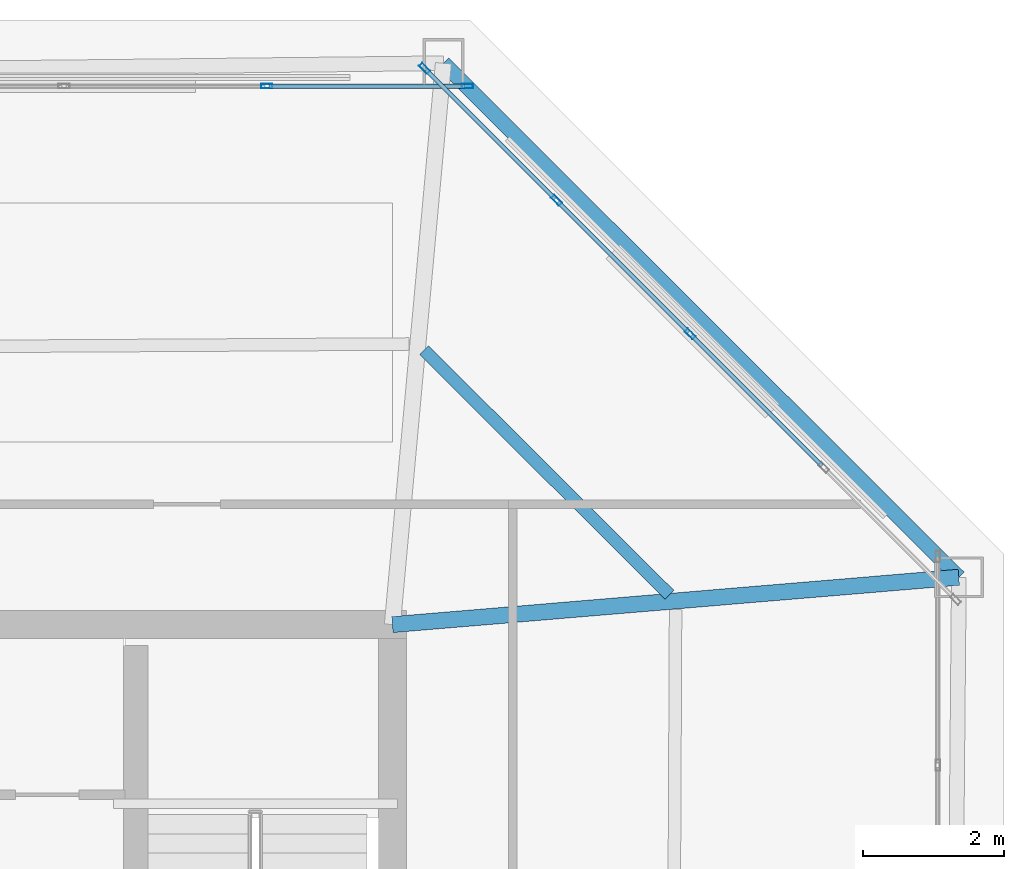
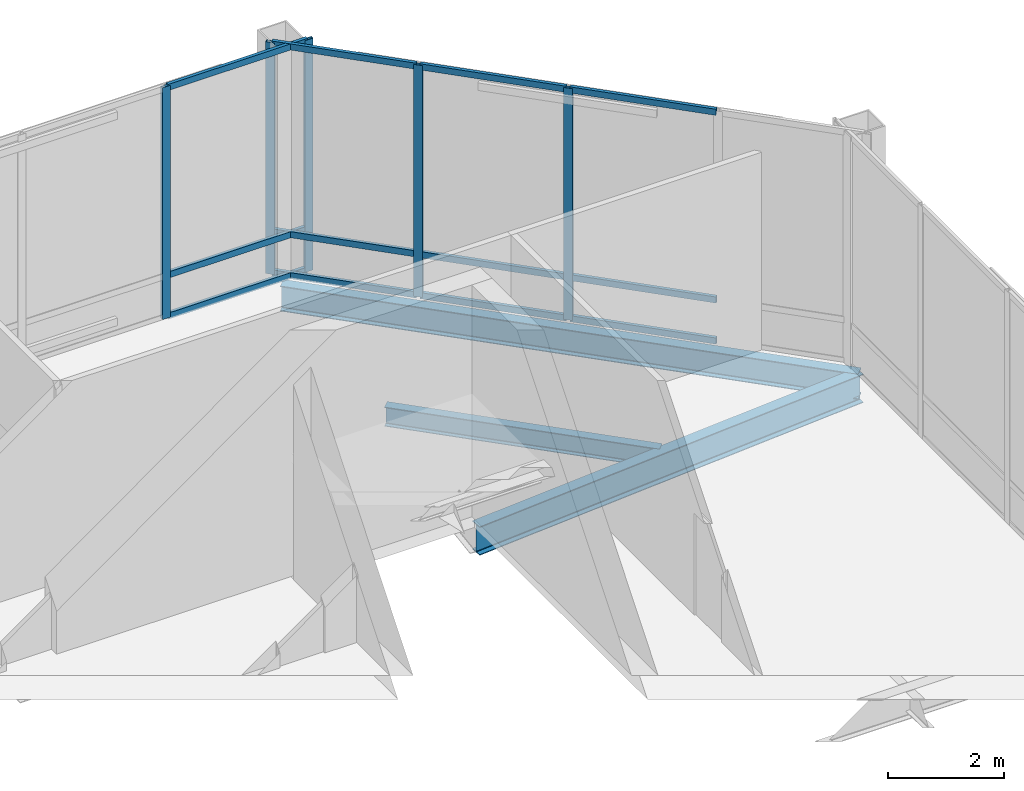
# One storey, part 14 of 21: 17 members, 3 beams, 2 elements without a shape of their own.
"""IFC4 building model written with IfcOpenShell, lengths in metres."""

import ifcopenshell
import ifcopenshell.guid

model = None  # the IFC model being written
_history = None  # IfcOwnerHistory: only IFC2X3 demands one
_inside = {}  # id of a spatial element -> (the spatial element, [elements in it])
_under = {}  # id of a project, library or spatial element -> (it, [spatial elements below it])
_declared = {}  # id of a project -> (the project, [libraries it declares])
_typed = {}  # id of a type object -> (the type object, [elements of that type])
_made_of = {}  # id of a material, layer set ... -> (it, [elements and type objects made of it])


def new_model(schema):
    """Start an empty IFC model of exactly this schema.

    Asked for "IFC4X3", IfcOpenShell would pick the latest addendum, in which some entities
    have other attributes; the version numbers below select the first issue.
    IFC2X3 requires an IfcOwnerHistory on every rooted entity: one is made here for all.
    """
    global model, _history
    if schema == "IFC4X3":
        model = ifcopenshell.file(schema_version=(4, 3, 0, 0))
    else:
        model = ifcopenshell.file(schema=schema)
    _inside.clear()
    _under.clear()
    _declared.clear()
    _typed.clear()
    _made_of.clear()
    _history = None
    if model.schema == "IFC2X3":
        org = make("IfcOrganization", Name="unknown")
        user = make(
            "IfcPersonAndOrganization",
            ThePerson=make("IfcPerson", FamilyName="unknown"),
            TheOrganization=org,
        )
        app = make(
            "IfcApplication",
            ApplicationDeveloper=org,
            Version="unknown",
            ApplicationFullName="unknown",
            ApplicationIdentifier="unknown",
        )
        _history = make(
            "IfcOwnerHistory",
            OwningUser=user,
            OwningApplication=app,
            ChangeAction="ADDED",
            CreationDate=0,
        )
    return model


def make(cls, **values):
    """One entity of the class cls with the attributes given. An attribute that is None is left unset."""
    return model.create_entity(
        cls, **{name: value for name, value in values.items() if value is not None}
    )


def rooted(cls, **values):
    """An entity with a GlobalId (a new one), such as an element, a storey or a relation."""
    return make(cls, GlobalId=ifcopenshell.guid.new(), OwnerHistory=_history, **values)


def si_unit(unit_type, name, prefix=None):
    """IfcSIUnit, for example si_unit("LENGTHUNIT", "METRE", prefix="MILLI")."""
    return make("IfcSIUnit", UnitType=unit_type, Prefix=prefix, Name=name)


def assignment(units):
    """IfcUnitAssignment: the units of a project."""
    return None if units is None else make("IfcUnitAssignment", Units=units)


def point(xyz):
    """IfcCartesianPoint."""
    return None if xyz is None else make("IfcCartesianPoint", Coordinates=xyz)


def direction(xyz):
    """IfcDirection."""
    return None if xyz is None else make("IfcDirection", DirectionRatios=xyz)


def frame(location, z_axis=None, x_axis=None):
    """IfcAxis2Placement3D, a coordinate frame: its origin and axes. An axis left out is left unset."""
    return make(
        "IfcAxis2Placement3D",
        Location=point(location),
        Axis=direction(z_axis),
        RefDirection=direction(x_axis),
    )


def frame_2d(location, x_axis=None):
    """IfcAxis2Placement2D, a coordinate frame in the plane: its origin and x axis."""
    return make(
        "IfcAxis2Placement2D", Location=point(location), RefDirection=direction(x_axis)
    )


def origin():
    """The frame at (0, 0, 0) with its axes left unset."""
    return frame((0.0, 0.0, 0.0))


def origin_2d():
    """The frame at (0, 0) in the plane with its x axis left unset."""
    return frame_2d((0.0, 0.0))


def place(relative_to, where):
    """IfcLocalPlacement: puts the frame where relative to a parent placement (None: the world)."""
    return make(
        "IfcLocalPlacement", PlacementRelTo=relative_to, RelativePlacement=where
    )


def context(
    kind, dimensions, precision=None, world=None, true_north=None, identifier=None
):
    """IfcGeometricRepresentationContext, for example the 3D "Model" context."""
    return make(
        "IfcGeometricRepresentationContext",
        ContextIdentifier=identifier,
        ContextType=kind,
        CoordinateSpaceDimension=dimensions,
        Precision=precision,
        WorldCoordinateSystem=world,
        TrueNorth=true_north,
    )


def subcontext(parent, identifier, kind, view, scale=None):
    """IfcGeometricRepresentationSubContext, for example "Body" below "Model"."""
    return make(
        "IfcGeometricRepresentationSubContext",
        ContextIdentifier=identifier,
        ContextType=kind,
        ParentContext=parent,
        TargetScale=scale,
        TargetView=view,
    )


def project(units=None, contexts=None):
    """IfcProject with its units and contexts."""
    return rooted(
        "IfcProject",
        Name="project",
        RepresentationContexts=contexts,
        UnitsInContext=assignment(units),
    )


def spatial(cls, under=None, at=None, **own):
    """A site, building, storey or space (cls), placed at a placement, below another one or the project."""
    s = rooted(cls, ObjectPlacement=at, **own)
    if under is not None:
        _under.setdefault(under.id(), (under, []))[1].append(s)
    return s


def profile(cls, at=None, kind="AREA", **sizes):
    """A parametric profile (cls). Its sizes go by their IFC names, for example OverallWidth=200.0."""
    return make(cls, ProfileType=kind, Position=at, **sizes)


def hollow_rectangle(**sizes):
    """IfcRectangleHollowProfileDef."""
    return profile("IfcRectangleHollowProfileDef", **sizes)


def i_section(**sizes):
    """IfcIShapeProfileDef."""
    return profile("IfcIShapeProfileDef", **sizes)


def extrude(swept, where, along, depth):
    """IfcExtrudedAreaSolid: the profile swept, set in the frame where, extruded along a direction by depth."""
    return make(
        "IfcExtrudedAreaSolid",
        SweptArea=swept,
        Position=where,
        ExtrudedDirection=direction(along),
        Depth=depth,
    )


def shape(context_of_items, identifier, shape_type, items):
    """IfcShapeRepresentation: the items that make up one representation, for example the "Body"."""
    return make(
        "IfcShapeRepresentation",
        ContextOfItems=context_of_items,
        RepresentationIdentifier=identifier,
        RepresentationType=shape_type,
        Items=items,
    )


def material(Name=None, Category=None):
    """IfcMaterial."""
    return make("IfcMaterial", Name=Name, Category=Category)


def layer(
    of_material, thickness, ventilated=None, Name=None, Category=None, Priority=None
):
    """IfcMaterialLayer: one layer of a wall or slab, of a material (None: an air gap)."""
    return make(
        "IfcMaterialLayer",
        Material=of_material,
        LayerThickness=thickness,
        IsVentilated=ventilated,
        Name=Name,
        Category=Category,
        Priority=Priority,
    )


def layer_set(layers, Name=None):
    """IfcMaterialLayerSet."""
    return make("IfcMaterialLayerSet", MaterialLayers=layers, LayerSetName=Name)


def material_profile(
    of_material, cross_section, Name=None, Category=None, Priority=None
):
    """IfcMaterialProfile: a cross section and its material."""
    return make(
        "IfcMaterialProfile",
        Name=Name,
        Material=of_material,
        Profile=cross_section,
        Priority=Priority,
        Category=Category,
    )


def profile_set(profiles, Name=None, composite=None):
    """IfcMaterialProfileSet."""
    return make(
        "IfcMaterialProfileSet",
        Name=Name,
        MaterialProfiles=profiles,
        CompositeProfile=composite,
    )


def made_of(thing, what):
    """Note that an element or type object is made of a material, layer set ...; save() writes the relation."""
    if what is not None:
        _made_of.setdefault(what.id(), (what, []))[1].append(thing)
    return thing


def type_object(cls, material=None, **own):
    """A type object (cls), such as IfcWallType, which elements share."""
    return made_of(rooted(cls, **own), material)


def element(
    cls,
    number,
    at=None,
    inside=None,
    cuts=None,
    type_object=None,
    material=None,
    context=None,
    identifier="Body",
    shape_type=None,
    held_by="IfcProductDefinitionShape",
    body=None,
    shapes=None,
    **own,
):
    """One element of the class cls, such as IfcWall. Its Tag is "e" and its number.

    at: its placement. inside: the storey or other place that contains it. cuts: it is an
    opening in that element (IfcRelVoidsElement). A single representation is given by context,
    identifier, shape_type and body (its items); several are given by shapes. held_by: the class
    of the entity that holds the representations. save() writes the other relations.
    """
    e = rooted(cls, Tag="e%d" % number, ObjectPlacement=at, **own)
    if body is not None:
        shapes = [shape(context, identifier, shape_type, body)]
    if shapes is not None:
        e.Representation = make(held_by, Representations=shapes)
    if inside is not None:
        _inside.setdefault(inside.id(), (inside, []))[1].append(e)
    if cuts is not None:
        rooted(
            "IfcRelVoidsElement", RelatingBuildingElement=cuts, RelatedOpeningElement=e
        )
    if type_object is not None:
        _typed.setdefault(type_object.id(), (type_object, []))[1].append(e)
    return made_of(e, material)


def aggregate(whole, parts):
    """IfcRelAggregates: a whole, such as a stair, and the parts it consists of."""
    return rooted("IfcRelAggregates", RelatingObject=whole, RelatedObjects=parts)


def save(model, path):
    """Write the relations noted so far, then the file.

    IfcRelAggregates (storeys below a building ...), IfcRelContainedInSpatialStructure (elements
    in a storey), IfcRelDefinesByType, IfcRelAssociatesMaterial and IfcRelDeclares: one each for
    every whole, place, type object, material and project.
    """
    for whole, parts in _under.values():
        aggregate(whole, parts)
    for where, things in _inside.values():
        rooted(
            "IfcRelContainedInSpatialStructure",
            RelatedElements=things,
            RelatingStructure=where,
        )
    for kind, things in _typed.values():
        rooted("IfcRelDefinesByType", RelatedObjects=things, RelatingType=kind)
    for what, things in _made_of.values():
        rooted("IfcRelAssociatesMaterial", RelatedObjects=things, RelatingMaterial=what)
    for by, libraries in _declared.values():
        rooted("IfcRelDeclares", RelatingContext=by, RelatedDefinitions=libraries)
    model.write(path)


model = new_model("IFC4")

# Units and contexts
model_context = context("Model", 3, precision=1e-05, world=origin(), true_north=direction((0.0, 1.0)))
body_context = subcontext(model_context, "Body", "Model", "MODEL_VIEW")
ifc_project = project(units=[si_unit("LENGTHUNIT", "METRE"), si_unit("AREAUNIT", "SQUARE_METRE"), si_unit("VOLUMEUNIT", "CUBIC_METRE"), si_unit("PLANEANGLEUNIT", "RADIAN"), si_unit("MASSUNIT", "GRAM", prefix="KILO")], contexts=[model_context])

# Site, building, storey
site_placement = place(None, origin())
site = spatial("IfcSite", under=ifc_project, at=site_placement, CompositionType="ELEMENT")
building_placement = place(site_placement, origin())
building = spatial("IfcBuilding", under=site, at=building_placement, Name="Caelvoria Tower", CompositionType="ELEMENT")
storey_placement = place(building_placement, frame((0.0, 0.0, 279.0)))
storey = spatial("IfcBuildingStorey", under=building, at=storey_placement, Name="L74", CompositionType="ELEMENT", Elevation=279.0)

# Curtain wall, members
ifc_material_1 = material(Name="Anodised Bronze Aluminium and Low-E Glass", Category="aluminium")
ifc_layer = layer(ifc_material_1, 0.205078125, Name="Anodised Bronze Aluminium and Low-E Glass")
ifc_layer_set = layer_set([ifc_layer], Name="CW System 5 Observation Panorama Low-Iron Facade - Anodised Bronze Aluminium and Low-E Glass")
curtain_wall_type = type_object("IfcCurtainWallType", Name="CW System 5 Observation Panorama Low-Iron Facade", PredefinedType="NOTDEFINED", material=ifc_layer_set)
curtain_wall_1_placement = place(storey_placement, origin())
curtain_wall_1 = element("IfcCurtainWall", 1, at=curtain_wall_1_placement, inside=storey, type_object=curtain_wall_type, Name="CW-05 Curtain Wall L74-E3", PredefinedType="NOTDEFINED")
ifc_material_2 = material(Name="Anodised Bronze Architectural Aluminium", Category="aluminium")
ifc_material_profile_1 = material_profile(ifc_material_2, hollow_rectangle(XDim=0.06494140625, YDim=0.159912109375, WallThickness=0.00390625, at=origin_2d()), Name="Anodised Bronze Architectural Aluminium")
ifc_profile_set_1 = profile_set([ifc_material_profile_1], Name="CW_MULL_65X160 - Anodised Bronze Architectural Aluminium")
member_type_1 = type_object("IfcMemberType", Name="Curtain Wall Mullion 65x160 Bronze Aluminium", PredefinedType="MULLION", material=ifc_profile_set_1)
member_1_placement = place(storey_placement, frame((59.2353515625, 44.13525390625, 0.0), z_axis=(0.0, 0.0, 1.0), x_axis=(-0.707106781187, -0.707106781187, 0.0)))
member_1 = element("IfcMember", 2, at=member_1_placement, type_object=member_type_1, Name="CW-05 mullion 3", PredefinedType="MULLION", context=body_context, shape_type="SweptSolid", body=[
    extrude(hollow_rectangle(XDim=0.06494140625, YDim=0.159912109375, WallThickness=0.00390625, at=origin_2d()), origin(), (0.0, 0.0, 1.0), 4.89990234375),
])
member_2_placement = place(storey_placement, frame((57.335205078125, 46.035400390625, 0.0), z_axis=(0.0, 0.0, 1.0), x_axis=(-0.707106781187, -0.707106781187, 0.0)))
member_2 = element("IfcMember", 3, at=member_2_placement, type_object=member_type_1, Name="CW-05 mullion 4", PredefinedType="MULLION", context=body_context, shape_type="SweptSolid", body=[
    extrude(hollow_rectangle(XDim=0.06494140625, YDim=0.159912109375, WallThickness=0.00390625, at=origin_2d()), origin(), (0.0, 0.0, 1.0), 4.89990234375),
])
member_3_placement = place(storey_placement, frame((55.458251953125, 47.912353515625, 0.0), z_axis=(0.0, 0.0, 1.0), x_axis=(-0.707106781187, -0.707106781187, 0.0)))
member_3 = element("IfcMember", 4, at=member_3_placement, type_object=member_type_1, Name="CW-05 mullion 5", PredefinedType="MULLION", context=body_context, shape_type="SweptSolid", body=[
    extrude(hollow_rectangle(XDim=0.06494140625, YDim=0.159912109375, WallThickness=0.00390625, at=origin_2d()), origin(), (0.0, 0.0, 1.0), 4.89990234375),
])

curtain_wall_2_placement = place(storey_placement, origin())
curtain_wall_2 = element("IfcCurtainWall", 5, at=curtain_wall_2_placement, inside=storey, type_object=curtain_wall_type, Name="CW-05 Curtain Wall L74-E4", PredefinedType="NOTDEFINED")
member_4_placement = place(storey_placement, frame((56.0673828125, 47.659912109375, 0.0), z_axis=(0.0, 0.0, 1.0), x_axis=(0.0, -1.0, 0.0)))
member_4 = element("IfcMember", 6, at=member_4_placement, type_object=member_type_1, Name="CW-05 mullion 1", PredefinedType="MULLION", context=body_context, shape_type="SweptSolid", body=[
    extrude(hollow_rectangle(XDim=0.06494140625, YDim=0.159912109375, WallThickness=0.00390625, at=origin_2d()), origin(), (0.0, 0.0, 1.0), 4.89990234375),
])
member_5_placement = place(storey_placement, frame((53.21435546875, 47.659912109375, 0.0), z_axis=(0.0, 0.0, 1.0), x_axis=(0.0, -1.0, 0.0)))
member_5 = element("IfcMember", 7, at=member_5_placement, type_object=member_type_1, Name="CW-05 mullion 2", PredefinedType="MULLION", context=body_context, shape_type="SweptSolid", body=[
    extrude(hollow_rectangle(XDim=0.06494140625, YDim=0.159912109375, WallThickness=0.00390625, at=origin_2d()), origin(), (0.0, 0.0, 1.0), 4.89990234375),
])

# Member
ifc_material_profile_2 = material_profile(ifc_material_2, hollow_rectangle(XDim=0.06494140625, YDim=0.1298828125, WallThickness=0.00341796875, at=origin_2d()), Name="Anodised Bronze Architectural Aluminium")
ifc_profile_set_2 = profile_set([ifc_material_profile_2], Name="CW_TRAN_65X130 - Anodised Bronze Architectural Aluminium")
member_type_2 = type_object("IfcMemberType", Name="Curtain Wall Transom 65x130 Bronze Aluminium", PredefinedType="USERDEFINED", material=ifc_profile_set_2)
member_6_placement = place(storey_placement, frame((61.1123046875, 42.25830078125, 0.032470703125), z_axis=(-0.707106781187, 0.707106781187, 0.0), x_axis=(-0.707106781187, -0.707106781187, 0.0)))
member_6 = element("IfcMember", 8, at=member_6_placement, type_object=member_type_2, Name="CW-05 transom 2.1", ObjectType="TRANSOM", PredefinedType="USERDEFINED", context=body_context, shape_type="SweptSolid", body=[
    extrude(hollow_rectangle(XDim=0.06494140625, YDim=0.1298828125, WallThickness=0.00341796875, at=origin_2d()), origin(), (0.0, 0.0, 1.0), 2.6220703125),
])

member_7_placement = place(storey_placement, frame((61.1123046875, 42.25830078125, 0.89990234375), z_axis=(-0.707106781187, 0.707106781187, 0.0), x_axis=(-0.707106781187, -0.707106781187, 0.0)))
member_7 = element("IfcMember", 9, at=member_7_placement, type_object=member_type_2, Name="CW-05 transom 2.2", ObjectType="TRANSOM", PredefinedType="USERDEFINED", context=body_context, shape_type="SweptSolid", body=[
    extrude(hollow_rectangle(XDim=0.06494140625, YDim=0.1298828125, WallThickness=0.00341796875, at=origin_2d()), origin(), (0.0, 0.0, 1.0), 2.6220703125),
])

member_8_placement = place(storey_placement, frame((61.1123046875, 42.25830078125, 4.867431640625), z_axis=(-0.707106781187, 0.707106781187, 0.0), x_axis=(-0.707106781187, -0.707106781187, 0.0)))
member_8 = element("IfcMember", 10, at=member_8_placement, type_object=member_type_2, Name="CW-05 transom 2.3", ObjectType="TRANSOM", PredefinedType="USERDEFINED", context=body_context, shape_type="SweptSolid", body=[
    extrude(hollow_rectangle(XDim=0.06494140625, YDim=0.1298828125, WallThickness=0.00341796875, at=origin_2d()), origin(), (0.0, 0.0, 1.0), 2.6220703125),
])

member_9_placement = place(storey_placement, frame((59.21240234375, 44.158203125, 0.032470703125), z_axis=(-0.707106781187, 0.707106781187, 0.0), x_axis=(-0.707106781187, -0.707106781187, 0.0)))
member_9 = element("IfcMember", 11, at=member_9_placement, type_object=member_type_2, Name="CW-05 transom 3.1", ObjectType="TRANSOM", PredefinedType="USERDEFINED", context=body_context, shape_type="SweptSolid", body=[
    extrude(hollow_rectangle(XDim=0.06494140625, YDim=0.1298828125, WallThickness=0.00341796875, at=origin_2d()), origin(), (0.0, 0.0, 1.0), 2.6220703125),
])

member_10_placement = place(storey_placement, frame((59.21240234375, 44.158203125, 0.89990234375), z_axis=(-0.707106781187, 0.707106781187, 0.0), x_axis=(-0.707106781187, -0.707106781187, 0.0)))
member_10 = element("IfcMember", 12, at=member_10_placement, type_object=member_type_2, Name="CW-05 transom 3.2", ObjectType="TRANSOM", PredefinedType="USERDEFINED", context=body_context, shape_type="SweptSolid", body=[
    extrude(hollow_rectangle(XDim=0.06494140625, YDim=0.1298828125, WallThickness=0.00341796875, at=origin_2d()), origin(), (0.0, 0.0, 1.0), 2.6220703125),
])

member_11_placement = place(storey_placement, frame((59.21240234375, 44.158203125, 4.867431640625), z_axis=(-0.707106781187, 0.707106781187, 0.0), x_axis=(-0.707106781187, -0.707106781187, 0.0)))
member_11 = element("IfcMember", 13, at=member_11_placement, type_object=member_type_2, Name="CW-05 transom 3.3", ObjectType="TRANSOM", PredefinedType="USERDEFINED", context=body_context, shape_type="SweptSolid", body=[
    extrude(hollow_rectangle(XDim=0.06494140625, YDim=0.1298828125, WallThickness=0.00341796875, at=origin_2d()), origin(), (0.0, 0.0, 1.0), 2.6220703125),
])

member_12_placement = place(storey_placement, frame((57.312255859375, 46.058349609375, 0.032470703125), z_axis=(-0.707106781187, 0.707106781187, 0.0), x_axis=(-0.707106781187, -0.707106781187, 0.0)))
member_12 = element("IfcMember", 14, at=member_12_placement, type_object=member_type_2, Name="CW-05 transom 4.1", ObjectType="TRANSOM", PredefinedType="USERDEFINED", context=body_context, shape_type="SweptSolid", body=[
    extrude(hollow_rectangle(XDim=0.06494140625, YDim=0.1298828125, WallThickness=0.00341796875, at=origin_2d()), origin(), (0.0, 0.0, 1.0), 2.589599609375),
])

member_13_placement = place(storey_placement, frame((57.312255859375, 46.058349609375, 0.89990234375), z_axis=(-0.707106781187, 0.707106781187, 0.0), x_axis=(-0.707106781187, -0.707106781187, 0.0)))
member_13 = element("IfcMember", 15, at=member_13_placement, type_object=member_type_2, Name="CW-05 transom 4.2", ObjectType="TRANSOM", PredefinedType="USERDEFINED", context=body_context, shape_type="SweptSolid", body=[
    extrude(hollow_rectangle(XDim=0.06494140625, YDim=0.1298828125, WallThickness=0.00341796875, at=origin_2d()), origin(), (0.0, 0.0, 1.0), 2.589599609375),
])

member_14_placement = place(storey_placement, frame((57.312255859375, 46.058349609375, 4.867431640625), z_axis=(-0.707106781187, 0.707106781187, 0.0), x_axis=(-0.707106781187, -0.707106781187, 0.0)))
member_14 = element("IfcMember", 16, at=member_14_placement, type_object=member_type_2, Name="CW-05 transom 4.3", ObjectType="TRANSOM", PredefinedType="USERDEFINED", context=body_context, shape_type="SweptSolid", body=[
    extrude(hollow_rectangle(XDim=0.06494140625, YDim=0.1298828125, WallThickness=0.00341796875, at=origin_2d()), origin(), (0.0, 0.0, 1.0), 2.589599609375),
])

aggregate(curtain_wall_1, [member_1, member_2, member_3, member_6, member_7, member_8, member_9, member_10, member_11, member_12, member_13, member_14])

member_15_placement = place(storey_placement, frame((56.034912109375, 47.659912109375, 0.032470703125), z_axis=(-1.0, 0.0, 0.0), x_axis=(0.0, -1.0, 0.0)))
member_15 = element("IfcMember", 17, at=member_15_placement, type_object=member_type_2, Name="CW-05 transom 1.1", ObjectType="TRANSOM", PredefinedType="USERDEFINED", context=body_context, shape_type="SweptSolid", body=[
    extrude(hollow_rectangle(XDim=0.06494140625, YDim=0.1298828125, WallThickness=0.00341796875, at=origin_2d()), origin(), (0.0, 0.0, 1.0), 2.7880859375),
])

member_16_placement = place(storey_placement, frame((56.034912109375, 47.659912109375, 0.89990234375), z_axis=(-1.0, 0.0, 0.0), x_axis=(0.0, -1.0, 0.0)))
member_16 = element("IfcMember", 18, at=member_16_placement, type_object=member_type_2, Name="CW-05 transom 1.2", ObjectType="TRANSOM", PredefinedType="USERDEFINED", context=body_context, shape_type="SweptSolid", body=[
    extrude(hollow_rectangle(XDim=0.06494140625, YDim=0.1298828125, WallThickness=0.00341796875, at=origin_2d()), origin(), (0.0, 0.0, 1.0), 2.7880859375),
])

member_17_placement = place(storey_placement, frame((56.034912109375, 47.659912109375, 4.867431640625), z_axis=(-1.0, 0.0, 0.0), x_axis=(0.0, -1.0, 0.0)))
member_17 = element("IfcMember", 19, at=member_17_placement, type_object=member_type_2, Name="CW-05 transom 1.3", ObjectType="TRANSOM", PredefinedType="USERDEFINED", context=body_context, shape_type="SweptSolid", body=[
    extrude(hollow_rectangle(XDim=0.06494140625, YDim=0.1298828125, WallThickness=0.00341796875, at=origin_2d()), origin(), (0.0, 0.0, 1.0), 2.7880859375),
])

aggregate(curtain_wall_2, [member_4, member_5, member_15, member_16, member_17])

# Beams
ifc_material_3 = material(Name="Structural Steel ASTM A992 Gr.50", Category="steel")
ifc_material_profile_3 = material_profile(ifc_material_3, i_section(OverallWidth=0.22802734375, OverallDepth=0.60302734375, WebThickness=0.010498046875, FlangeThickness=0.014892578125, FilletRadius=0.01806640625, at=origin_2d()), Name="Structural Steel ASTM A992 Gr.50")
ifc_profile_set_3 = profile_set([ifc_material_profile_3], Name="W610X101 - Structural Steel ASTM A992 Gr.50")
beam_type_1 = type_object("IfcBeamType", Name="Primary Floor Girder W610X101", PredefinedType="BEAM", material=ifc_profile_set_3)
beam_1_placement = place(storey_placement, frame((55.0, 40.0, -0.6416015625), z_axis=(0.996524486988, 0.083300341138, 0.0), x_axis=(-0.083300341138, 0.996524486988, 0.0)))
element("IfcBeam", 20, at=beam_1_placement, inside=storey, type_object=beam_type_1, Name="Primary Floor Girder L74-05", PredefinedType="BEAM", context=body_context, shape_type="SweptSolid", body=[
    extrude(i_section(OverallWidth=0.22802734375, OverallDepth=0.60302734375, WebThickness=0.010498046875, FlangeThickness=0.014892578125, FilletRadius=0.01806640625, at=origin_2d()), origin(), (0.0, 0.0, 1.0), 8.086181640625),
])
ifc_material_profile_4 = material_profile(ifc_material_3, i_section(OverallWidth=0.177978515625, OverallDepth=0.406982421875, WebThickness=0.0078125, FlangeThickness=0.0126953125, FilletRadius=0.013916015625, at=origin_2d()), Name="Structural Steel ASTM A992 Gr.50")
ifc_profile_set_4 = profile_set([ifc_material_profile_4], Name="W410X60 - Structural Steel ASTM A992 Gr.50")
beam_type_2 = type_object("IfcBeamType", Name="Secondary Floor Beam W410X60", PredefinedType="BEAM", material=ifc_profile_set_4)
beam_2_placement = place(storey_placement, frame((58.940673828125, 40.425048828125, -0.54345703125), z_axis=(-0.708121759504, 0.706090343877, 0.0), x_axis=(-0.706090343877, -0.708121759504, 0.0)))
element("IfcBeam", 21, at=beam_2_placement, inside=storey, type_object=beam_type_2, Name="Secondary Floor Beam L74-05", PredefinedType="BEAM", context=body_context, shape_type="SweptSolid", body=[
    extrude(i_section(OverallWidth=0.177978515625, OverallDepth=0.406982421875, WebThickness=0.0078125, FlangeThickness=0.0126953125, FilletRadius=0.013916015625, at=origin_2d()), origin(), (0.0, 0.0, 1.0), 4.927490234375),
])
ifc_material_profile_5 = material_profile(ifc_material_3, i_section(OverallWidth=0.208984375, OverallDepth=0.532958984375, WebThickness=0.01025390625, FlangeThickness=0.015625, FilletRadius=0.01611328125, at=origin_2d()), Name="Structural Steel ASTM A992 Gr.50")
ifc_profile_set_5 = profile_set([ifc_material_profile_5], Name="W530X92 - Structural Steel ASTM A992 Gr.50")
beam_type_3 = type_object("IfcBeamType", Name="Upper Zone Spandrel W530X92", PredefinedType="BEAM", material=ifc_profile_set_5)
beam_3_placement = place(storey_placement, frame((63.05810546875, 40.673583984375, -0.6064453125), z_axis=(-0.708119910977, 0.706092197717, 0.0), x_axis=(-0.706092197717, -0.708119910977, 0.0)))
element("IfcBeam", 22, at=beam_3_placement, inside=storey, type_object=beam_type_3, Name="Perimeter Spandrel Girder L74-05", PredefinedType="BEAM", context=body_context, shape_type="SweptSolid", body=[
    extrude(i_section(OverallWidth=0.208984375, OverallDepth=0.532958984375, WebThickness=0.01025390625, FlangeThickness=0.015625, FilletRadius=0.01611328125, at=origin_2d()), origin(), (0.0, 0.0, 1.0), 10.3544921875),
])

save(model, "model.ifc")
